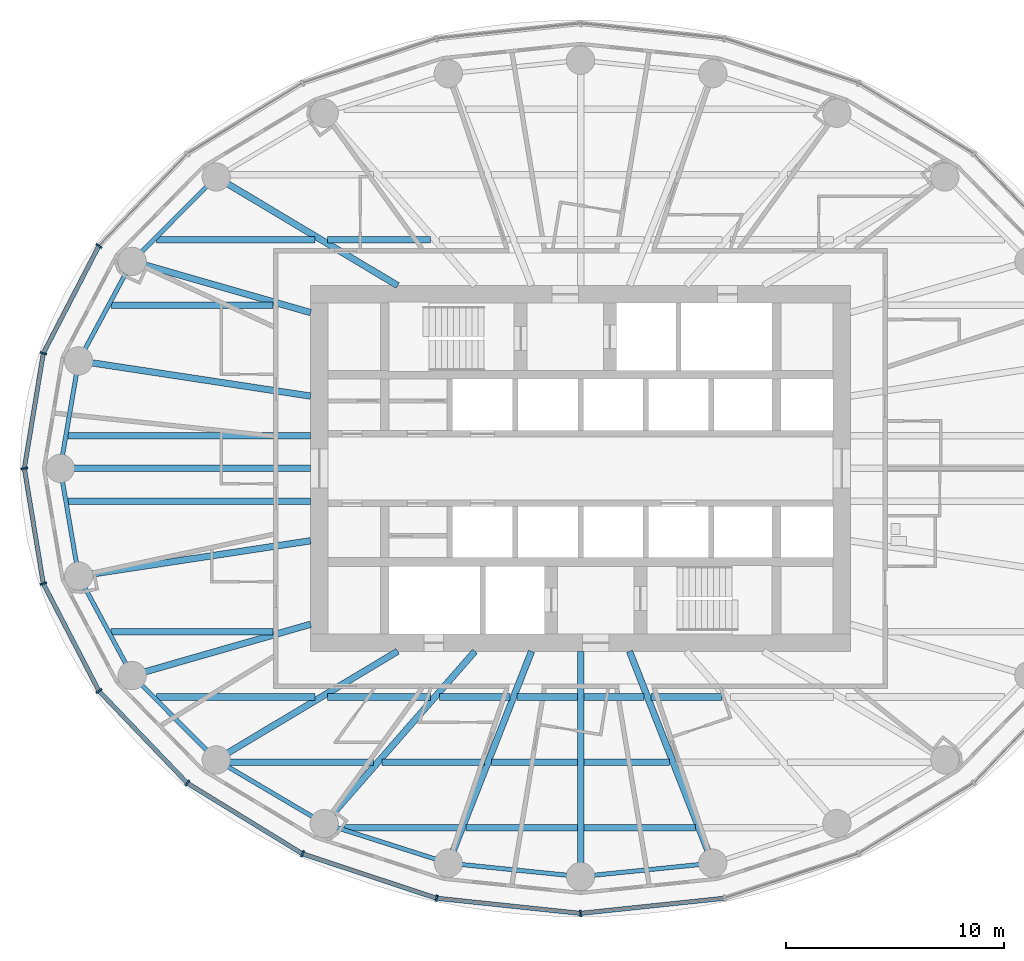
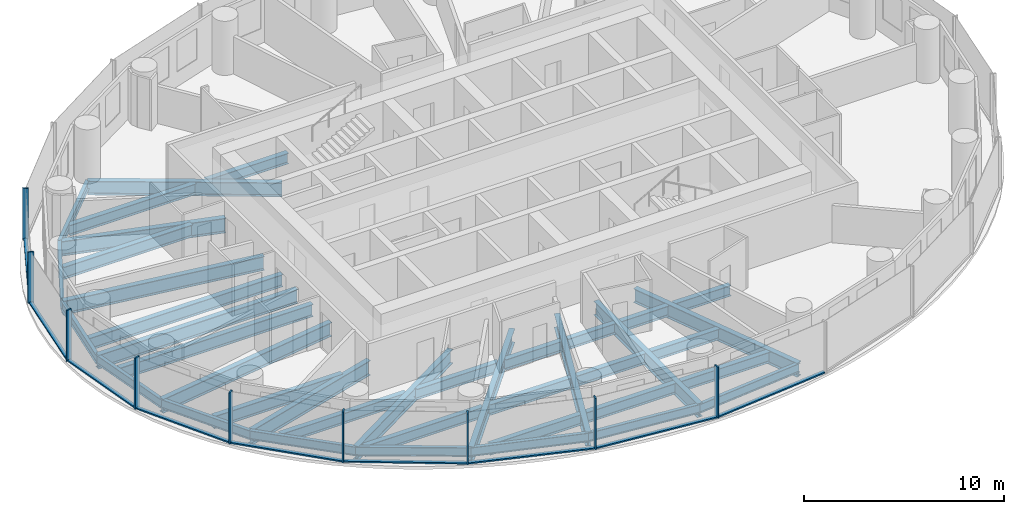
# One storey, part 2 of 13: 40 beams, 18 members, 3 elements without a shape of their own.
"""IFC4 building model written with IfcOpenShell, lengths in metres."""

from ifc_helpers import new_model, si_unit, direction, frame, origin, origin_2d, place, context, subcontext, project, spatial, rectangle, i_section, extrude, material, material_profile, profile_set, type_object, element, aggregate, save


model = new_model("IFC4")

# Units and contexts
model_context = context("Model", 3, precision=1e-05, world=origin(), true_north=direction((0.0, 1.0)))
body_context = subcontext(model_context, "Body", "Model", "MODEL_VIEW")
ifc_project = project(units=[si_unit("LENGTHUNIT", "METRE"), si_unit("AREAUNIT", "SQUARE_METRE"), si_unit("VOLUMEUNIT", "CUBIC_METRE"), si_unit("PLANEANGLEUNIT", "RADIAN"), si_unit("MASSUNIT", "GRAM", prefix="KILO")], contexts=[model_context])

# Site, building, storey
site_placement = place(None, origin())
site = spatial("IfcSite", under=ifc_project, at=site_placement, CompositionType="ELEMENT")
building_placement = place(site_placement, origin())
building = spatial("IfcBuilding", under=site, at=building_placement, Name="Hankou Lantern Tower", CompositionType="ELEMENT")
storey_placement = place(building_placement, frame((0.0, 0.0, 105.60009765625)))
storey = spatial("IfcBuildingStorey", under=building, at=storey_placement, Name="L26", CompositionType="ELEMENT", Elevation=105.60009765625)

# Beams
ifc_material_1 = material(Name="Steel Q355B", Category="steel")
ifc_material_profile_1 = material_profile(ifc_material_1, i_section(OverallWidth=0.199951171875, OverallDepth=0.550048828125, WebThickness=0.010009765625, FlangeThickness=0.01611328125, FilletRadius=0.012939453125, at=origin_2d()), Name="HN550x200x10x16")
ifc_profile_set_1 = profile_set([ifc_material_profile_1], Name="Steel Q355B")
beam_type_1 = type_object("IfcBeamType", Name="EB6 RING BEAM HN550x200x10x16", PredefinedType="SPANDREL", material=ifc_profile_set_1)
beam_1_placement = place(storey_placement, frame((-16.73388671875, 13.38720703125, -0.455078125), z_axis=(-0.705945468625, -0.708266189599, 0.0), x_axis=(0.708266189599, -0.705945468625, 0.0)))
element("IfcBeam", 1, at=beam_1_placement, inside=storey, type_object=beam_type_1, Name="Ring beam R10-R11 L26", PredefinedType="SPANDREL", context=body_context, shape_type="SweptSolid", body=[
    extrude(i_section(OverallWidth=0.199951171875, OverallDepth=0.550048828125, WebThickness=0.010009765625, FlangeThickness=0.01611328125, FilletRadius=0.012939453125, at=origin_2d()), origin(), (0.0, 0.0, 1.0), 5.470458984375),
])
beam_2_placement = place(storey_placement, frame((-20.595703125, 9.5126953125, -0.455078125), z_axis=(-0.473824901673, -0.880619079145, 0.0), x_axis=(0.880619079145, -0.473824901673, 0.0)))
element("IfcBeam", 2, at=beam_2_placement, inside=storey, type_object=beam_type_1, Name="Ring beam R11-R12 L26", PredefinedType="SPANDREL", context=body_context, shape_type="SweptSolid", body=[
    extrude(i_section(OverallWidth=0.199951171875, OverallDepth=0.550048828125, WebThickness=0.010009765625, FlangeThickness=0.01611328125, FilletRadius=0.012939453125, at=origin_2d()), origin(), (0.0, 0.0, 1.0), 5.190185546875),
])
for number, where, z_axis, x_axis, name in (
    (3, (-23.054931640625, 4.942138671875, -0.455078125), (-0.168527258545, -0.985696993567, 0.0), (0.985696993567, -0.168527258545, 0.0), "Ring beam R12-R13 L26"),
    (4, (-23.89990234375, 0.0, -0.455078125), (0.168527258545, -0.985696993567, 0.0), (0.985696993567, 0.168527258545, 0.0), "Ring beam R13-R14 L26"),
):
    element("IfcBeam", number, at=place(storey_placement, frame(where, z_axis=z_axis, x_axis=x_axis)), inside=storey, type_object=beam_type_1, Name=name, PredefinedType="SPANDREL", context=body_context, shape_type="SweptSolid", body=[
        extrude(i_section(OverallWidth=0.199951171875, OverallDepth=0.550048828125, WebThickness=0.010009765625, FlangeThickness=0.01611328125, FilletRadius=0.012939453125, at=origin_2d()), origin(), (0.0, 0.0, 1.0), 5.013916015625),
    ])
beam_3_placement = place(storey_placement, frame((-23.054931640625, -4.942138671875, -0.455078125), z_axis=(0.473824901673, -0.880619079145, 0.0), x_axis=(0.880619079145, 0.473824901673, 0.0)))
element("IfcBeam", 5, at=beam_3_placement, inside=storey, type_object=beam_type_1, Name="Ring beam R14-R15 L26", PredefinedType="SPANDREL", context=body_context, shape_type="SweptSolid", body=[
    extrude(i_section(OverallWidth=0.199951171875, OverallDepth=0.550048828125, WebThickness=0.010009765625, FlangeThickness=0.01611328125, FilletRadius=0.012939453125, at=origin_2d()), origin(), (0.0, 0.0, 1.0), 5.190185546875),
])
beam_4_placement = place(storey_placement, frame((-20.595703125, -9.5126953125, -0.455078125), z_axis=(0.705945468625, -0.708266189599, 0.0), x_axis=(0.708266189599, 0.705945468625, 0.0)))
element("IfcBeam", 6, at=beam_4_placement, inside=storey, type_object=beam_type_1, Name="Ring beam R15-R16 L26", PredefinedType="SPANDREL", context=body_context, shape_type="SweptSolid", body=[
    extrude(i_section(OverallWidth=0.199951171875, OverallDepth=0.550048828125, WebThickness=0.010009765625, FlangeThickness=0.01611328125, FilletRadius=0.012939453125, at=origin_2d()), origin(), (0.0, 0.0, 1.0), 5.470458984375),
])
beam_5_placement = place(storey_placement, frame((-16.73388671875, -13.38720703125, -0.455078125), z_axis=(0.860988974188, -0.508623619513, 0.0), x_axis=(0.508623619513, 0.860988974188, 0.0)))
element("IfcBeam", 7, at=beam_5_placement, inside=storey, type_object=beam_type_1, Name="Ring beam R16-R17 L26", PredefinedType="SPANDREL", context=body_context, shape_type="SweptSolid", body=[
    extrude(i_section(OverallWidth=0.199951171875, OverallDepth=0.550048828125, WebThickness=0.010009765625, FlangeThickness=0.01611328125, FilletRadius=0.012939453125, at=origin_2d()), origin(), (0.0, 0.0, 1.0), 5.759033203125),
])
beam_6_placement = place(storey_placement, frame((-11.775390625, -16.31640625, -0.455078125), z_axis=(0.952731090451, -0.303814860215, 0.0), x_axis=(0.303814860215, 0.952731090451, 0.0)))
element("IfcBeam", 8, at=beam_6_placement, inside=storey, type_object=beam_type_1, Name="Ring beam R17-R18 L26", PredefinedType="SPANDREL", context=body_context, shape_type="SweptSolid", body=[
    extrude(i_section(OverallWidth=0.199951171875, OverallDepth=0.550048828125, WebThickness=0.010009765625, FlangeThickness=0.01611328125, FilletRadius=0.012939453125, at=origin_2d()), origin(), (0.0, 0.0, 1.0), 5.984375),
])
for number, where, z_axis, x_axis, name in (
    (9, (-6.073974609375, -18.134521484375, -0.455078125), (0.994905271594, -0.100814188259, 0.0), (0.100814188259, 0.994905271594, 0.0), "Ring beam R18-R19 L26"),
    (10, (0.0, -18.75, -0.455078125), (0.994905271594, 0.100814188259, 0.0), (-0.100814188259, 0.994905271594, 0.0), "Ring beam R19-R20 L26"),
):
    element("IfcBeam", number, at=place(storey_placement, frame(where, z_axis=z_axis, x_axis=x_axis)), inside=storey, type_object=beam_type_1, Name=name, PredefinedType="SPANDREL", context=body_context, shape_type="SweptSolid", body=[
        extrude(i_section(OverallWidth=0.199951171875, OverallDepth=0.550048828125, WebThickness=0.010009765625, FlangeThickness=0.01611328125, FilletRadius=0.012939453125, at=origin_2d()), origin(), (0.0, 0.0, 1.0), 6.10498046875),
    ])

# Curtain wall, members
ifc_material_2 = material(Name="Glass, dark grey tinted laminated", Category="glass")
curtain_wall_type = type_object("IfcCurtainWallType", Name="CWB OUTER SKIN MID-RISE", PredefinedType="USERDEFINED", material=ifc_material_2)
curtain_wall_1_placement = place(storey_placement, origin())
curtain_wall_1 = element("IfcCurtainWall", 11, at=curtain_wall_1_placement, inside=storey, type_object=curtain_wall_type, Name="CWB L26 OS2", ObjectType="OUTER SKIN MID-RISE", PredefinedType="USERDEFINED")
ifc_material_3 = material(Name="Aluminium, black anodised", Category="aluminium")
ifc_material_profile_2 = material_profile(ifc_material_3, rectangle(XDim=0.080078125, YDim=0.300048828125, at=origin_2d()), Name="MU1 80X300")
ifc_profile_set_2 = profile_set([ifc_material_profile_2], Name="Aluminium, black anodised")
member_type_1 = type_object("IfcMemberType", Name="MU1 OUTER SKIN MULLION 80X300", PredefinedType="MULLION", material=ifc_profile_set_2)
member_1_placement = place(storey_placement, frame((-22.126953125, 10.219970703125, 0.0), z_axis=(0.0, 0.0, 1.0), x_axis=(-0.585205735974, -0.810884854084, 0.0)))
member_1 = element("IfcMember", 12, at=member_1_placement, type_object=member_type_1, Name="CWB mullion 5", PredefinedType="MULLION", context=body_context, shape_type="SweptSolid", body=[
    extrude(rectangle(XDim=0.080078125, YDim=0.300048828125, at=origin_2d()), origin(), (0.0, 0.0, 1.0), 3.119873046875),
])
member_2_placement = place(storey_placement, frame((-24.679443359375, 5.290283203125, 0.0), z_axis=(0.0, 0.0, 1.0), x_axis=(-0.317595577365, -0.94822626479, 0.0)))
member_2 = element("IfcMember", 13, at=member_2_placement, type_object=member_type_1, Name="CWB mullion 6", PredefinedType="MULLION", context=body_context, shape_type="SweptSolid", body=[
    extrude(rectangle(XDim=0.080078125, YDim=0.300048828125, at=origin_2d()), origin(), (0.0, 0.0, 1.0), 3.119873046875),
])

curtain_wall_2_placement = place(storey_placement, origin())
curtain_wall_2 = element("IfcCurtainWall", 14, at=curtain_wall_2_placement, inside=storey, type_object=curtain_wall_type, Name="CWB L26 OS3", ObjectType="OUTER SKIN MID-RISE", PredefinedType="USERDEFINED")
member_3_placement = place(storey_placement, frame((-25.550048828125, 0.0, 0.0), z_axis=(0.0, 0.0, 1.0), x_axis=(0.162381515188, -0.986728049427, 0.0)))
member_3 = element("IfcMember", 15, at=member_3_placement, type_object=member_type_1, Name="CWB mullion 1", PredefinedType="MULLION", context=body_context, shape_type="SweptSolid", body=[
    extrude(rectangle(XDim=0.080078125, YDim=0.300048828125, at=origin_2d()), origin(), (0.0, 0.0, 1.0), 3.119873046875),
])
member_4_placement = place(storey_placement, frame((-24.679443359375, -5.290283203125, 0.0), z_axis=(0.0, 0.0, 1.0), x_axis=(0.317595577365, -0.94822626479, 0.0)))
member_4 = element("IfcMember", 16, at=member_4_placement, type_object=member_type_1, Name="CWB mullion 2", PredefinedType="MULLION", context=body_context, shape_type="SweptSolid", body=[
    extrude(rectangle(XDim=0.080078125, YDim=0.300048828125, at=origin_2d()), origin(), (0.0, 0.0, 1.0), 3.119873046875),
])
member_5_placement = place(storey_placement, frame((-22.126953125, -10.219970703125, 0.0), z_axis=(0.0, 0.0, 1.0), x_axis=(0.585205735974, -0.810884854084, 0.0)))
member_5 = element("IfcMember", 17, at=member_5_placement, type_object=member_type_1, Name="CWB mullion 3", PredefinedType="MULLION", context=body_context, shape_type="SweptSolid", body=[
    extrude(rectangle(XDim=0.080078125, YDim=0.300048828125, at=origin_2d()), origin(), (0.0, 0.0, 1.0), 3.119873046875),
])
member_6_placement = place(storey_placement, frame((-18.066650390625, -14.453369140625, 0.0), z_axis=(0.0, 0.0, 1.0), x_axis=(0.780868809444, -0.624695047553, 0.0)))
member_6 = element("IfcMember", 18, at=member_6_placement, type_object=member_type_1, Name="CWB mullion 4", PredefinedType="MULLION", context=body_context, shape_type="SweptSolid", body=[
    extrude(rectangle(XDim=0.080078125, YDim=0.300048828125, at=origin_2d()), origin(), (0.0, 0.0, 1.0), 3.119873046875),
])
member_7_placement = place(storey_placement, frame((-12.77490234375, -17.70166015625, 0.0), z_axis=(0.0, 0.0, 1.0), x_axis=(0.907841299004, -0.419313934686, 0.0)))
member_7 = element("IfcMember", 19, at=member_7_placement, type_object=member_type_1, Name="CWB mullion 5", PredefinedType="MULLION", context=body_context, shape_type="SweptSolid", body=[
    extrude(rectangle(XDim=0.080078125, YDim=0.300048828125, at=origin_2d()), origin(), (0.0, 0.0, 1.0), 3.119873046875),
])
member_8_placement = place(storey_placement, frame((-6.61279296875, -19.743408203125, 0.0), z_axis=(0.0, 0.0, 1.0), x_axis=(0.977787659625, -0.209597931016, 0.0)))
member_8 = element("IfcMember", 20, at=member_8_placement, type_object=member_type_1, Name="CWB mullion 6", PredefinedType="MULLION", context=body_context, shape_type="SweptSolid", body=[
    extrude(rectangle(XDim=0.080078125, YDim=0.300048828125, at=origin_2d()), origin(), (0.0, 0.0, 1.0), 3.119873046875),
])

# Curtain wall, member
curtain_wall_3_placement = place(storey_placement, origin())
curtain_wall_3 = element("IfcCurtainWall", 21, at=curtain_wall_3_placement, inside=storey, type_object=curtain_wall_type, Name="CWB L26 OS4", ObjectType="OUTER SKIN MID-RISE", PredefinedType="USERDEFINED")
member_9_placement = place(storey_placement, frame((0.0, -20.43994140625, 0.0), z_axis=(0.0, 0.0, 1.0), x_axis=(0.994499359107, 0.104742659579, 0.0)))
member_9 = element("IfcMember", 22, at=member_9_placement, type_object=member_type_1, Name="CWB mullion 1", PredefinedType="MULLION", context=body_context, shape_type="SweptSolid", body=[
    extrude(rectangle(XDim=0.080078125, YDim=0.300048828125, at=origin_2d()), origin(), (0.0, 0.0, 1.0), 3.119873046875),
])

# Beams
ifc_material_4 = material(Name="Steel Q355B", Category="steel")
ifc_material_profile_3 = material_profile(ifc_material_4, i_section(OverallWidth=0.300048828125, OverallDepth=0.85009765625, WebThickness=0.01611328125, FlangeThickness=0.027099609375, FilletRadius=0.01806640625, at=origin_2d()), Name="HN850x300x16x27")
ifc_profile_set_3 = profile_set([ifc_material_profile_3], Name="Steel Q355B")
beam_type_2 = type_object("IfcBeamType", Name="RB12 RADIAL BEAM HN850x300x16x27", PredefinedType="BEAM", material=ifc_profile_set_3)
beam_7_placement = place(storey_placement, frame((-8.39990234375, 8.39990234375, -0.60498046875), z_axis=(-0.858086776551, 0.513504706802, 0.0), x_axis=(-0.513504706802, -0.858086776551, 0.0)))
element("IfcBeam", 23, at=beam_7_placement, inside=storey, type_object=beam_type_2, Name="Radial beam R10 L26", PredefinedType="BEAM", context=body_context, shape_type="SweptSolid", body=[
    extrude(i_section(OverallWidth=0.300048828125, OverallDepth=0.85009765625, WebThickness=0.01611328125, FlangeThickness=0.027099609375, FilletRadius=0.01806640625, at=origin_2d()), origin(), (0.0, 0.0, 1.0), 9.71240234375),
])
beam_8_placement = place(storey_placement, frame((-12.39990234375, 3.322509765625, -0.60498046875), z_axis=(-0.988643506875, 0.150279793429, 0.0), x_axis=(-0.150279793429, -0.988643506875, 0.0)))
element("IfcBeam", 24, at=beam_8_placement, inside=storey, type_object=beam_type_2, Name="Radial beam R12 L26", PredefinedType="BEAM", context=body_context, shape_type="SweptSolid", body=[
    extrude(i_section(OverallWidth=0.300048828125, OverallDepth=0.85009765625, WebThickness=0.01611328125, FlangeThickness=0.027099609375, FilletRadius=0.01806640625, at=origin_2d()), origin(), (0.0, 0.0, 1.0), 10.77734375),
])
beam_9_placement = place(storey_placement, frame((-12.39990234375, 0.0, -0.60498046875), z_axis=(-1.0, 0.0, 0.0), x_axis=(0.0, -1.0, 0.0)))
element("IfcBeam", 25, at=beam_9_placement, inside=storey, type_object=beam_type_2, Name="Radial beam R13 L26", PredefinedType="BEAM", context=body_context, shape_type="SweptSolid", body=[
    extrude(i_section(OverallWidth=0.300048828125, OverallDepth=0.85009765625, WebThickness=0.01611328125, FlangeThickness=0.027099609375, FilletRadius=0.01806640625, at=origin_2d()), origin(), (0.0, 0.0, 1.0), 11.5),
])
beam_10_placement = place(storey_placement, frame((-12.39990234375, -3.322509765625, -0.60498046875), z_axis=(-0.988643506875, -0.150279793429, 0.0), x_axis=(0.150279793429, -0.988643506875, 0.0)))
element("IfcBeam", 26, at=beam_10_placement, inside=storey, type_object=beam_type_2, Name="Radial beam R14 L26", PredefinedType="BEAM", context=body_context, shape_type="SweptSolid", body=[
    extrude(i_section(OverallWidth=0.300048828125, OverallDepth=0.85009765625, WebThickness=0.01611328125, FlangeThickness=0.027099609375, FilletRadius=0.01806640625, at=origin_2d()), origin(), (0.0, 0.0, 1.0), 10.77734375),
])
beam_11_placement = place(storey_placement, frame((-8.39990234375, -8.39990234375, -0.60498046875), z_axis=(-0.858086776551, -0.513504706802, 0.0), x_axis=(0.513504706802, -0.858086776551, 0.0)))
element("IfcBeam", 27, at=beam_11_placement, inside=storey, type_object=beam_type_2, Name="Radial beam R16 L26", PredefinedType="BEAM", context=body_context, shape_type="SweptSolid", body=[
    extrude(i_section(OverallWidth=0.300048828125, OverallDepth=0.85009765625, WebThickness=0.01611328125, FlangeThickness=0.027099609375, FilletRadius=0.01806640625, at=origin_2d()), origin(), (0.0, 0.0, 1.0), 9.71240234375),
])
beam_12_placement = place(storey_placement, frame((-4.849853515625, -8.39990234375, -0.60498046875), z_axis=(-0.658429014446, -0.752642832249, 0.0), x_axis=(0.752642832249, -0.658429014446, 0.0)))
element("IfcBeam", 28, at=beam_12_placement, inside=storey, type_object=beam_type_2, Name="Radial beam R17 L26", PredefinedType="BEAM", context=body_context, shape_type="SweptSolid", body=[
    extrude(i_section(OverallWidth=0.300048828125, OverallDepth=0.85009765625, WebThickness=0.01611328125, FlangeThickness=0.027099609375, FilletRadius=0.01806640625, at=origin_2d()), origin(), (0.0, 0.0, 1.0), 10.518310546875),
])
beam_13_placement = place(storey_placement, frame((-2.250732421875, -8.39990234375, -0.60498046875), z_axis=(-0.365563535437, -0.930786388791, 0.0), x_axis=(0.930786388791, -0.365563535437, 0.0)))
element("IfcBeam", 29, at=beam_13_placement, inside=storey, type_object=beam_type_2, Name="Radial beam R18 L26", PredefinedType="BEAM", context=body_context, shape_type="SweptSolid", body=[
    extrude(i_section(OverallWidth=0.300048828125, OverallDepth=0.85009765625, WebThickness=0.01611328125, FlangeThickness=0.027099609375, FilletRadius=0.01806640625, at=origin_2d()), origin(), (0.0, 0.0, 1.0), 10.45849609375),
])
beam_14_placement = place(storey_placement, frame((0.0, -8.39990234375, -0.60498046875), z_axis=(0.0, -1.0, 0.0), x_axis=(1.0, 0.0, 0.0)))
element("IfcBeam", 30, at=beam_14_placement, inside=storey, type_object=beam_type_2, Name="Radial beam R19 L26", PredefinedType="BEAM", context=body_context, shape_type="SweptSolid", body=[
    extrude(i_section(OverallWidth=0.300048828125, OverallDepth=0.85009765625, WebThickness=0.01611328125, FlangeThickness=0.027099609375, FilletRadius=0.01806640625, at=origin_2d()), origin(), (0.0, 0.0, 1.0), 10.35009765625),
])
beam_15_placement = place(storey_placement, frame((2.250732421875, -8.39990234375, -0.60498046875), z_axis=(0.365563535437, -0.930786388791, 0.0), x_axis=(0.930786388791, 0.365563535437, 0.0)))
element("IfcBeam", 31, at=beam_15_placement, inside=storey, type_object=beam_type_2, Name="Radial beam R20 L26", PredefinedType="BEAM", context=body_context, shape_type="SweptSolid", body=[
    extrude(i_section(OverallWidth=0.300048828125, OverallDepth=0.85009765625, WebThickness=0.01611328125, FlangeThickness=0.027099609375, FilletRadius=0.01806640625, at=origin_2d()), origin(), (0.0, 0.0, 1.0), 10.45849609375),
])
ifc_material_5 = material(Name="Steel Q355B", Category="steel")
ifc_material_profile_4 = material_profile(ifc_material_5, i_section(OverallWidth=0.300048828125, OverallDepth=0.89990234375, WebThickness=0.01611328125, FlangeThickness=0.028076171875, FilletRadius=0.01806640625, at=origin_2d()), Name="HN900x300x16x28")
ifc_profile_set_4 = profile_set([ifc_material_profile_4], Name="Steel Q355B")
beam_type_3 = type_object("IfcBeamType", Name="RB13 RADIAL BEAM HN900x300x16x28", PredefinedType="BEAM", material=ifc_profile_set_4)
for number, where, z_axis, x_axis, name in (
    (32, (-12.39990234375, 7.1591796875, -0.630126953125), (-0.961155741911, 0.276006593745, 0.0), (-0.276006593745, -0.961155741911, 0.0), "Radial beam R11 L26"),
    (33, (-12.39990234375, -7.1591796875, -0.630126953125), (-0.961155741911, -0.276006593745, 0.0), (0.276006593745, -0.961155741911, 0.0), "Radial beam R15 L26"),
):
    element("IfcBeam", number, at=place(storey_placement, frame(where, z_axis=z_axis, x_axis=x_axis)), inside=storey, type_object=beam_type_3, Name=name, PredefinedType="BEAM", context=body_context, shape_type="SweptSolid", body=[
        extrude(i_section(OverallWidth=0.300048828125, OverallDepth=0.89990234375, WebThickness=0.01611328125, FlangeThickness=0.028076171875, FilletRadius=0.01806640625, at=origin_2d()), origin(), (0.0, 0.0, 1.0), 8.527099609375),
    ])
ifc_material_6 = material(Name="Steel Q355B", Category="steel")
ifc_material_profile_5 = material_profile(ifc_material_6, i_section(OverallWidth=0.300048828125, OverallDepth=0.75, WebThickness=0.012939453125, FlangeThickness=0.02392578125, FilletRadius=0.01806640625, at=origin_2d()), Name="HN750x300x13x24")
ifc_profile_set_5 = profile_set([ifc_material_profile_5], Name="Steel Q355B")
beam_type_4 = type_object("IfcBeamType", Name="SB10 SECONDARY BEAM HN750x300x13x24", PredefinedType="JOIST", material=ifc_profile_set_5)
beam_16_placement = place(storey_placement, frame((-21.56494140625, -7.5, -0.55517578125), z_axis=(1.0, 0.0, 0.0), x_axis=(0.0, 1.0, 0.0)))
element("IfcBeam", 34, at=beam_16_placement, inside=storey, type_object=beam_type_4, Name="Floor joist J019 L26", PredefinedType="JOIST", context=body_context, shape_type="SweptSolid", body=[
    extrude(i_section(OverallWidth=0.300048828125, OverallDepth=0.75, WebThickness=0.012939453125, FlangeThickness=0.02392578125, FilletRadius=0.01806640625, at=origin_2d()), origin(), (0.0, 0.0, 1.0), 7.4345703125),
])
for number, where, z_axis, x_axis, name in (
    (35, (-23.5419921875, -1.5, -0.55517578125), (1.0, 0.0, 0.0), (0.0, 1.0, 0.0), "Floor joist J025 L26"),
    (36, (-23.5419921875, 1.5, -0.55517578125), (1.0, 0.0, 0.0), (0.0, 1.0, 0.0), "Floor joist J027 L26"),
):
    element("IfcBeam", number, at=place(storey_placement, frame(where, z_axis=z_axis, x_axis=x_axis)), inside=storey, type_object=beam_type_4, Name=name, PredefinedType="JOIST", context=body_context, shape_type="SweptSolid", body=[
        extrude(i_section(OverallWidth=0.300048828125, OverallDepth=0.75, WebThickness=0.012939453125, FlangeThickness=0.02392578125, FilletRadius=0.01806640625, at=origin_2d()), origin(), (0.0, 0.0, 1.0), 11.14208984375),
    ])
beam_17_placement = place(storey_placement, frame((-21.56494140625, 7.5, -0.55517578125), z_axis=(1.0, 0.0, 0.0), x_axis=(0.0, 1.0, 0.0)))
element("IfcBeam", 37, at=beam_17_placement, inside=storey, type_object=beam_type_4, Name="Floor joist J033 L26", PredefinedType="JOIST", context=body_context, shape_type="SweptSolid", body=[
    extrude(i_section(OverallWidth=0.300048828125, OverallDepth=0.75, WebThickness=0.012939453125, FlangeThickness=0.02392578125, FilletRadius=0.01806640625, at=origin_2d()), origin(), (0.0, 0.0, 1.0), 7.4345703125),
])
ifc_material_7 = material(Name="Steel Q355B", Category="steel")
ifc_material_profile_6 = material_profile(ifc_material_7, i_section(OverallWidth=0.300048828125, OverallDepth=0.64990234375, WebThickness=0.010986328125, FlangeThickness=0.01708984375, FilletRadius=0.01806640625, at=origin_2d()), Name="HN650x300x11x17")
ifc_profile_set_6 = profile_set([ifc_material_profile_6], Name="Steel Q355B")
beam_type_5 = type_object("IfcBeamType", Name="SB8 SECONDARY BEAM HN650x300x11x17", PredefinedType="JOIST", material=ifc_profile_set_6)
beam_18_placement = place(storey_placement, frame((-10.8701171875, -16.5, -0.505126953125), z_axis=(1.0, 0.0, 0.0), x_axis=(0.0, 1.0, 0.0)))
element("IfcBeam", 38, at=beam_18_placement, inside=storey, type_object=beam_type_5, Name="Floor joist J001 L26", PredefinedType="JOIST", context=body_context, shape_type="SweptSolid", body=[
    extrude(i_section(OverallWidth=0.300048828125, OverallDepth=0.64990234375, WebThickness=0.010986328125, FlangeThickness=0.01708984375, FilletRadius=0.01806640625, at=origin_2d()), origin(), (0.0, 0.0, 1.0), 5.27685546875),
])
for number, where, z_axis, x_axis, name in (
    (39, (-5.270751953125, -16.5, -0.505126953125), (1.0, 0.0, 0.0), (0.0, 1.0, 0.0), "Floor joist J002 L26"),
    (40, (0.14990234375, -16.5, -0.505126953125), (1.0, 0.0, 0.0), (0.0, 1.0, 0.0), "Floor joist J003 L26"),
):
    element("IfcBeam", number, at=place(storey_placement, frame(where, z_axis=z_axis, x_axis=x_axis)), inside=storey, type_object=beam_type_5, Name=name, PredefinedType="JOIST", context=body_context, shape_type="SweptSolid", body=[
        extrude(i_section(OverallWidth=0.300048828125, OverallDepth=0.64990234375, WebThickness=0.010986328125, FlangeThickness=0.01708984375, FilletRadius=0.01806640625, at=origin_2d()), origin(), (0.0, 0.0, 1.0), 5.120849609375),
    ])
beam_19_placement = place(storey_placement, frame((-16.34619140625, -13.5, -0.505126953125), z_axis=(1.0, 0.0, 0.0), x_axis=(0.0, 1.0, 0.0)))
element("IfcBeam", 41, at=beam_19_placement, inside=storey, type_object=beam_type_5, Name="Floor joist J005 L26", PredefinedType="JOIST", context=body_context, shape_type="SweptSolid", body=[
    extrude(i_section(OverallWidth=0.300048828125, OverallDepth=0.64990234375, WebThickness=0.010986328125, FlangeThickness=0.01708984375, FilletRadius=0.01806640625, at=origin_2d()), origin(), (0.0, 0.0, 1.0), 6.83544921875),
])
beam_20_placement = place(storey_placement, frame((-9.112060546875, -13.5, -0.505126953125), z_axis=(1.0, 0.0, 0.0), x_axis=(0.0, 1.0, 0.0)))
element("IfcBeam", 42, at=beam_20_placement, inside=storey, type_object=beam_type_5, Name="Floor joist J006 L26", PredefinedType="JOIST", context=body_context, shape_type="SweptSolid", body=[
    extrude(i_section(OverallWidth=0.300048828125, OverallDepth=0.64990234375, WebThickness=0.010986328125, FlangeThickness=0.01708984375, FilletRadius=0.01806640625, at=origin_2d()), origin(), (0.0, 0.0, 1.0), 4.697021484375),
])
for number, where, z_axis, x_axis, name in (
    (43, (-4.092529296875, -13.5, -0.505126953125), (1.0, 0.0, 0.0), (0.0, 1.0, 0.0), "Floor joist J007 L26"),
    (44, (0.14990234375, -13.5, -0.505126953125), (1.0, 0.0, 0.0), (0.0, 1.0, 0.0), "Floor joist J008 L26"),
):
    element("IfcBeam", number, at=place(storey_placement, frame(where, z_axis=z_axis, x_axis=x_axis)), inside=storey, type_object=beam_type_5, Name=name, PredefinedType="JOIST", context=body_context, shape_type="SweptSolid", body=[
        extrude(i_section(OverallWidth=0.300048828125, OverallDepth=0.64990234375, WebThickness=0.010986328125, FlangeThickness=0.01708984375, FilletRadius=0.01806640625, at=origin_2d()), origin(), (0.0, 0.0, 1.0), 3.942626953125),
    ])
beam_21_placement = place(storey_placement, frame((-19.470458984375, -10.5, -0.505126953125), z_axis=(1.0, 0.0, 0.0), x_axis=(0.0, 1.0, 0.0)))
element("IfcBeam", 45, at=beam_21_placement, inside=storey, type_object=beam_type_5, Name="Floor joist J011 L26", PredefinedType="JOIST", context=body_context, shape_type="SweptSolid", body=[
    extrude(i_section(OverallWidth=0.300048828125, OverallDepth=0.64990234375, WebThickness=0.010986328125, FlangeThickness=0.01708984375, FilletRadius=0.01806640625, at=origin_2d()), origin(), (0.0, 0.0, 1.0), 7.26904296875),
])
beam_22_placement = place(storey_placement, frame((-11.6171875, -10.5, -0.505126953125), z_axis=(1.0, 0.0, 0.0), x_axis=(0.0, 1.0, 0.0)))
element("IfcBeam", 46, at=beam_22_placement, inside=storey, type_object=beam_type_5, Name="Floor joist J012 L26", PredefinedType="JOIST", context=body_context, shape_type="SweptSolid", body=[
    extrude(i_section(OverallWidth=0.300048828125, OverallDepth=0.64990234375, WebThickness=0.010986328125, FlangeThickness=0.01708984375, FilletRadius=0.01806640625, at=origin_2d()), origin(), (0.0, 0.0, 1.0), 4.73095703125),
])
beam_23_placement = place(storey_placement, frame((-6.487548828125, -10.5, -0.505126953125), z_axis=(1.0, 0.0, 0.0), x_axis=(0.0, 1.0, 0.0)))
element("IfcBeam", 47, at=beam_23_placement, inside=storey, type_object=beam_type_5, Name="Floor joist J013 L26", PredefinedType="JOIST", context=body_context, shape_type="SweptSolid", body=[
    extrude(i_section(OverallWidth=0.300048828125, OverallDepth=0.64990234375, WebThickness=0.010986328125, FlangeThickness=0.01708984375, FilletRadius=0.01806640625, at=origin_2d()), origin(), (0.0, 0.0, 1.0), 3.2509765625),
])
for number, where, z_axis, x_axis, name in (
    (48, (-2.914306640625, -10.5, -0.505126953125), (1.0, 0.0, 0.0), (0.0, 1.0, 0.0), "Floor joist J014 L26"),
    (49, (0.14990234375, -10.5, -0.505126953125), (1.0, 0.0, 0.0), (0.0, 1.0, 0.0), "Floor joist J015 L26"),
):
    element("IfcBeam", number, at=place(storey_placement, frame(where, z_axis=z_axis, x_axis=x_axis)), inside=storey, type_object=beam_type_5, Name=name, PredefinedType="JOIST", context=body_context, shape_type="SweptSolid", body=[
        extrude(i_section(OverallWidth=0.300048828125, OverallDepth=0.64990234375, WebThickness=0.010986328125, FlangeThickness=0.01708984375, FilletRadius=0.01806640625, at=origin_2d()), origin(), (0.0, 0.0, 1.0), 2.764404296875),
    ])
beam_24_placement = place(storey_placement, frame((3.236572265625, -10.5, -0.505126953125), z_axis=(1.0, 0.0, 0.0), x_axis=(0.0, 1.0, 0.0)))
element("IfcBeam", 50, at=beam_24_placement, inside=storey, type_object=beam_type_5, Name="Floor joist J016 L26", PredefinedType="JOIST", context=body_context, shape_type="SweptSolid", body=[
    extrude(i_section(OverallWidth=0.300048828125, OverallDepth=0.64990234375, WebThickness=0.010986328125, FlangeThickness=0.01708984375, FilletRadius=0.01806640625, at=origin_2d()), origin(), (0.0, 0.0, 1.0), 3.2509765625),
])
beam_25_placement = place(storey_placement, frame((-19.470458984375, 10.5, -0.505126953125), z_axis=(1.0, 0.0, 0.0), x_axis=(0.0, 1.0, 0.0)))
element("IfcBeam", 51, at=beam_25_placement, inside=storey, type_object=beam_type_5, Name="Floor joist J035 L26", PredefinedType="JOIST", context=body_context, shape_type="SweptSolid", body=[
    extrude(i_section(OverallWidth=0.300048828125, OverallDepth=0.64990234375, WebThickness=0.010986328125, FlangeThickness=0.01708984375, FilletRadius=0.01806640625, at=origin_2d()), origin(), (0.0, 0.0, 1.0), 7.26904296875),
])
beam_26_placement = place(storey_placement, frame((-11.6171875, 10.5, -0.505126953125), z_axis=(1.0, 0.0, 0.0), x_axis=(0.0, 1.0, 0.0)))
element("IfcBeam", 52, at=beam_26_placement, inside=storey, type_object=beam_type_5, Name="Floor joist J036 L26", PredefinedType="JOIST", context=body_context, shape_type="SweptSolid", body=[
    extrude(i_section(OverallWidth=0.300048828125, OverallDepth=0.64990234375, WebThickness=0.010986328125, FlangeThickness=0.01708984375, FilletRadius=0.01806640625, at=origin_2d()), origin(), (0.0, 0.0, 1.0), 4.73095703125),
])

# Member
ifc_material_8 = material(Name="Aluminium, black anodised", Category="aluminium")
ifc_material_profile_7 = material_profile(ifc_material_8, rectangle(XDim=0.199951171875, YDim=0.080078125, at=origin_2d()), Name="TR1 200X80")
ifc_profile_set_7 = profile_set([ifc_material_profile_7], Name="Aluminium, black anodised")
member_type_2 = type_object("IfcMemberType", Name="TR1 OUTER SKIN TRANSOM 200X80", PredefinedType="USERDEFINED", material=ifc_profile_set_7)
member_10_placement = place(storey_placement, frame((-22.145263671875, 10.1845703125, 0.039794921875), z_axis=(-0.459805240543, -0.888019786249, 0.0), x_axis=(0.888019786249, -0.459805240543, 0.0)))
member_10 = element("IfcMember", 53, at=member_10_placement, type_object=member_type_2, Name="CWB transom 5", ObjectType="TRANSOM", PredefinedType="USERDEFINED", context=body_context, shape_type="SweptSolid", body=[
    extrude(rectangle(XDim=0.199951171875, YDim=0.080078125, at=origin_2d()), origin(), (0.0, 0.0, 1.0), 5.4716796875),
])

member_11_placement = place(storey_placement, frame((-24.685791015625, 5.250732421875, 0.039794921875), z_axis=(-0.162397124076, -0.986725480614, 0.0), x_axis=(0.986725480614, -0.162397124076, 0.0)))
member_11 = element("IfcMember", 54, at=member_11_placement, type_object=member_type_2, Name="CWB transom 6", ObjectType="TRANSOM", PredefinedType="USERDEFINED", context=body_context, shape_type="SweptSolid", body=[
    extrude(rectangle(XDim=0.199951171875, YDim=0.080078125, at=origin_2d()), origin(), (0.0, 0.0, 1.0), 5.28125),
])

aggregate(curtain_wall_1, [member_1, member_2, member_10, member_11])

member_12_placement = place(storey_placement, frame((-25.54345703125, -0.03955078125, 0.039794921875), z_axis=(0.162397124076, -0.986725480614, 0.0), x_axis=(0.986725480614, 0.162397124076, 0.0)))
member_12 = element("IfcMember", 55, at=member_12_placement, type_object=member_type_2, Name="CWB transom 1", ObjectType="TRANSOM", PredefinedType="USERDEFINED", context=body_context, shape_type="SweptSolid", body=[
    extrude(rectangle(XDim=0.199951171875, YDim=0.080078125, at=origin_2d()), origin(), (0.0, 0.0, 1.0), 5.28125),
])

member_13_placement = place(storey_placement, frame((-24.6611328125, -5.32568359375, 0.039794921875), z_axis=(0.459805240543, -0.888019786249, 0.0), x_axis=(0.888019786249, 0.459805240543, 0.0)))
member_13 = element("IfcMember", 56, at=member_13_placement, type_object=member_type_2, Name="CWB transom 2", ObjectType="TRANSOM", PredefinedType="USERDEFINED", context=body_context, shape_type="SweptSolid", body=[
    extrude(rectangle(XDim=0.199951171875, YDim=0.080078125, at=origin_2d()), origin(), (0.0, 0.0, 1.0), 5.4716796875),
])

member_14_placement = place(storey_placement, frame((-22.099365234375, -10.248779296875, 0.039794921875), z_axis=(0.692226977748, -0.721679853729, 0.0), x_axis=(0.721679853729, 0.692226977748, 0.0)))
member_14 = element("IfcMember", 57, at=member_14_placement, type_object=member_type_2, Name="CWB transom 3", ObjectType="TRANSOM", PredefinedType="USERDEFINED", context=body_context, shape_type="SweptSolid", body=[
    extrude(rectangle(XDim=0.199951171875, YDim=0.080078125, at=origin_2d()), origin(), (0.0, 0.0, 1.0), 5.785888671875),
])

member_15_placement = place(storey_placement, frame((-18.032470703125, -14.47412109375, 0.039794921875), z_axis=(0.852229492169, -0.523168130411, 0.0), x_axis=(0.523168130411, 0.852229492169, 0.0)))
member_15 = element("IfcMember", 58, at=member_15_placement, type_object=member_type_2, Name="CWB transom 4", ObjectType="TRANSOM", PredefinedType="USERDEFINED", context=body_context, shape_type="SweptSolid", body=[
    extrude(rectangle(XDim=0.199951171875, YDim=0.080078125, at=origin_2d()), origin(), (0.0, 0.0, 1.0), 6.129150390625),
])

member_16_placement = place(storey_placement, frame((-12.737060546875, -17.714111328125, 0.039794921875), z_axis=(0.949237765745, -0.314559476225, 0.0), x_axis=(0.314559476225, 0.949237765745, 0.0)))
member_16 = element("IfcMember", 59, at=member_16_placement, type_object=member_type_2, Name="CWB transom 5", ObjectType="TRANSOM", PredefinedType="USERDEFINED", context=body_context, shape_type="SweptSolid", body=[
    extrude(rectangle(XDim=0.199951171875, YDim=0.080078125, at=origin_2d()), origin(), (0.0, 0.0, 1.0), 6.41162109375),
])

member_17_placement = place(storey_placement, frame((-6.572998046875, -19.747802734375, 0.039794921875), z_axis=(0.994500972001, -0.10472734451, 0.0), x_axis=(0.10472734451, 0.994500972001, 0.0)))
member_17 = element("IfcMember", 60, at=member_17_placement, type_object=member_type_2, Name="CWB transom 6", ObjectType="TRANSOM", PredefinedType="USERDEFINED", context=body_context, shape_type="SweptSolid", body=[
    extrude(rectangle(XDim=0.199951171875, YDim=0.080078125, at=origin_2d()), origin(), (0.0, 0.0, 1.0), 6.5693359375),
])

aggregate(curtain_wall_2, [member_3, member_4, member_5, member_6, member_7, member_8, member_12, member_13, member_14, member_15, member_16, member_17])

member_18_placement = place(storey_placement, frame((0.039794921875, -20.435791015625, 0.039794921875), z_axis=(0.994500972001, 0.10472734451, 0.0), x_axis=(-0.10472734451, 0.994500972001, 0.0)))
member_18 = element("IfcMember", 61, at=member_18_placement, type_object=member_type_2, Name="CWB transom 1", ObjectType="TRANSOM", PredefinedType="USERDEFINED", context=body_context, shape_type="SweptSolid", body=[
    extrude(rectangle(XDim=0.199951171875, YDim=0.080078125, at=origin_2d()), origin(), (0.0, 0.0, 1.0), 6.5693359375),
])

aggregate(curtain_wall_3, [member_9, member_18])

save(model, "model.ifc")
